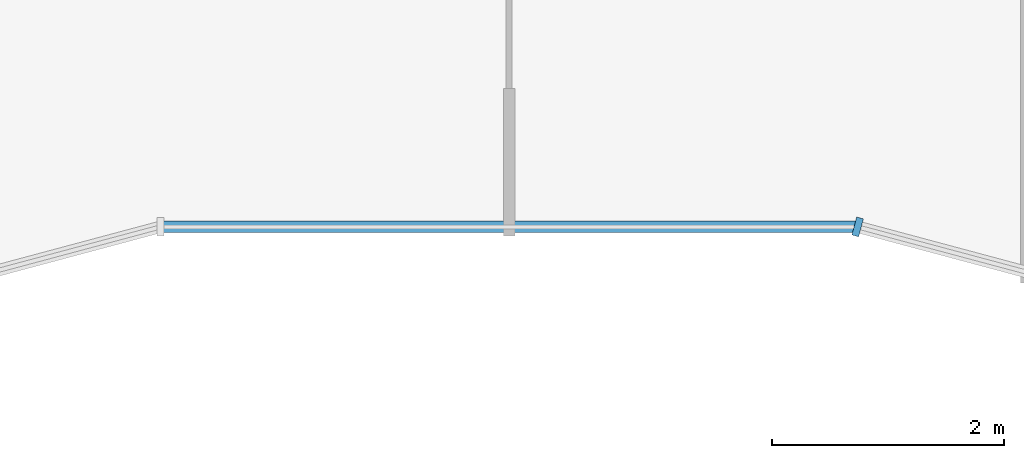
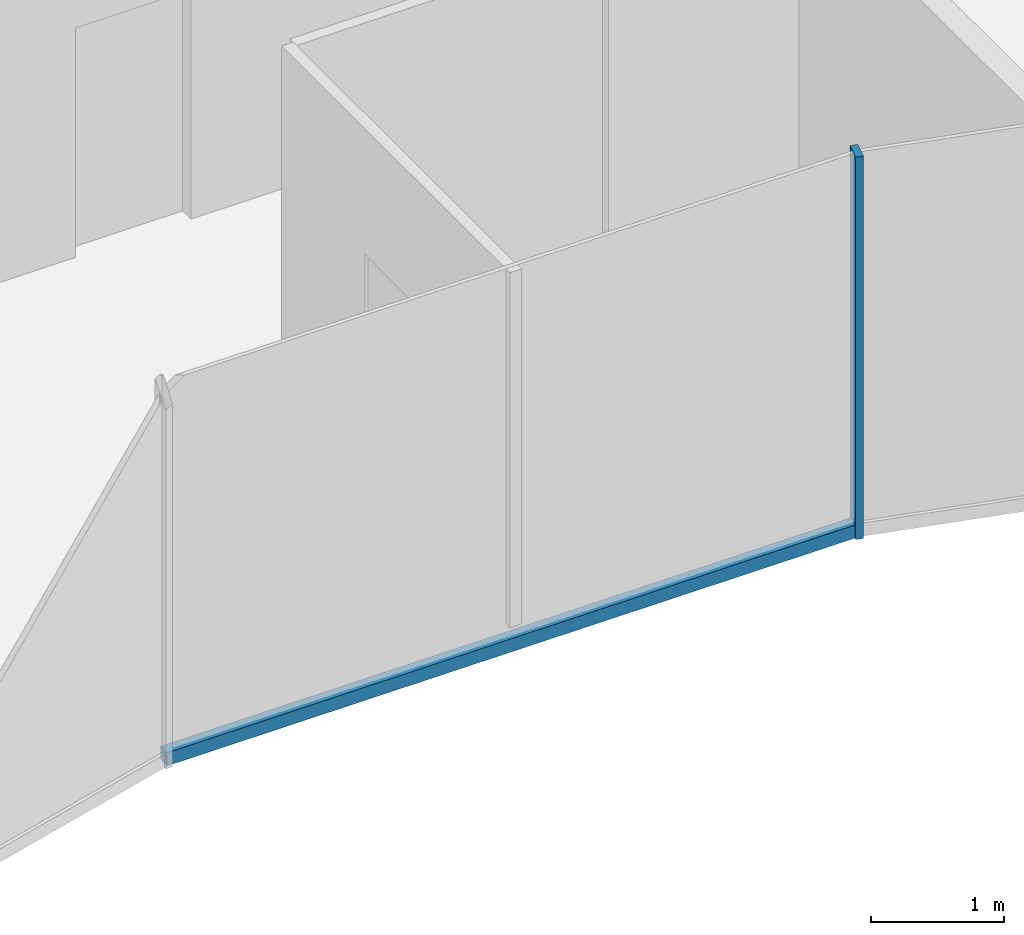
# One storey, part 3 of 15: 2 members, 2 elements without a shape of their own.
"""IFC4 building model written with IfcOpenShell, lengths in metres."""

from ifc_helpers import new_model, si_unit, direction, frame, origin, origin_2d, place, context, subcontext, project, spatial, rectangle, extrude, material, layer, layer_set, material_profile, profile_set, type_object, element, aggregate, save


model = new_model("IFC4")

# Units and contexts
model_context = context("Model", 3, precision=1e-05, world=origin(), true_north=direction((0.0, 1.0)))
body_context = subcontext(model_context, "Body", "Model", "MODEL_VIEW")
ifc_project = project(units=[si_unit("LENGTHUNIT", "METRE"), si_unit("AREAUNIT", "SQUARE_METRE"), si_unit("VOLUMEUNIT", "CUBIC_METRE"), si_unit("PLANEANGLEUNIT", "RADIAN"), si_unit("MASSUNIT", "GRAM", prefix="KILO")], contexts=[model_context])

# Site, building, storey
site_placement = place(None, origin())
site = spatial("IfcSite", under=ifc_project, at=site_placement, CompositionType="ELEMENT")
building_placement = place(site_placement, origin())
building = spatial("IfcBuilding", under=site, at=building_placement, Name="Plateau Cross Towers", CompositionType="ELEMENT")
storey_placement = place(building_placement, frame((0.0, 0.0, 153.39990234375)))
storey = spatial("IfcBuildingStorey", under=building, at=storey_placement, Name="L39", CompositionType="ELEMENT", Elevation=153.39990234375)

# Curtain wall, member
ifc_material_1 = material(Name="Dark low-iron glass", Category="glass")
ifc_layer = layer(ifc_material_1, 0.260009765625)
ifc_layer_set = layer_set([ifc_layer], Name="Dark low-iron glass")
curtain_wall_type = type_object("IfcCurtainWallType", Name="Curtain wall fluted unitised CW-A", PredefinedType="NOTDEFINED", material=ifc_layer_set)
curtain_wall_1_placement = place(storey_placement, origin())
curtain_wall_1 = element("IfcCurtainWall", 1, at=curtain_wall_1_placement, inside=storey, type_object=curtain_wall_type, Name="ENV/A/L39/A300_16", PredefinedType="NOTDEFINED")
ifc_material_2 = material(Name="Black anodised aluminium", Category="aluminium")
ifc_material_profile_1 = material_profile(ifc_material_2, rectangle(XDim=0.06005859375, YDim=0.159912109375, at=origin_2d()), Name="MULLION 60x160")
ifc_profile_set_1 = profile_set([ifc_material_profile_1], Name="Black anodised aluminium")
member_type_1 = type_object("IfcMemberType", Name="Mullion 60x160 fluted unitised", PredefinedType="MULLION", material=ifc_profile_set_1)
member_1_placement = place(storey_placement, frame((30.0, 1.60693359375, -0.25), z_axis=(0.0, 0.0, 1.0), x_axis=(0.965957983404, -0.258699003279, 0.0)))
member_1 = element("IfcMember", 2, at=member_1_placement, type_object=member_type_1, Name="CW-A mullion 1", PredefinedType="MULLION", context=body_context, shape_type="SweptSolid", body=[
    extrude(rectangle(XDim=0.06005859375, YDim=0.159912109375, at=origin_2d()), origin(), (0.0, 0.0, 1.0), 3.5),
])
aggregate(curtain_wall_1, [member_1])

curtain_wall_2_placement = place(storey_placement, origin())
curtain_wall_2 = element("IfcCurtainWall", 3, at=curtain_wall_2_placement, inside=storey, type_object=curtain_wall_type, Name="ENV/A/L39/A240_16", PredefinedType="NOTDEFINED")
ifc_material_profile_2 = material_profile(ifc_material_2, rectangle(XDim=0.10009765625, YDim=0.1201171875, at=origin_2d()), Name="TRANSOM 100x120")
ifc_profile_set_2 = profile_set([ifc_material_profile_2], Name="Black anodised aluminium")
member_type_2 = type_object("IfcMemberType", Name="Transom 100x120 fluted unitised", PredefinedType="USERDEFINED", material=ifc_profile_set_2)
member_2_placement = place(storey_placement, frame((24.0, 1.60693359375, -0.18994140625), z_axis=(1.0, 0.0, 0.0), x_axis=(0.0, 1.0, 0.0)))
member_2 = element("IfcMember", 4, at=member_2_placement, type_object=member_type_2, Name="CW-A transom", ObjectType="TRANSOM", PredefinedType="USERDEFINED", context=body_context, shape_type="SweptSolid", body=[
    extrude(rectangle(XDim=0.10009765625, YDim=0.1201171875, at=origin_2d()), origin(), (0.0, 0.0, 1.0), 6.0),
])
aggregate(curtain_wall_2, [member_2])

save(model, "model.ifc")
